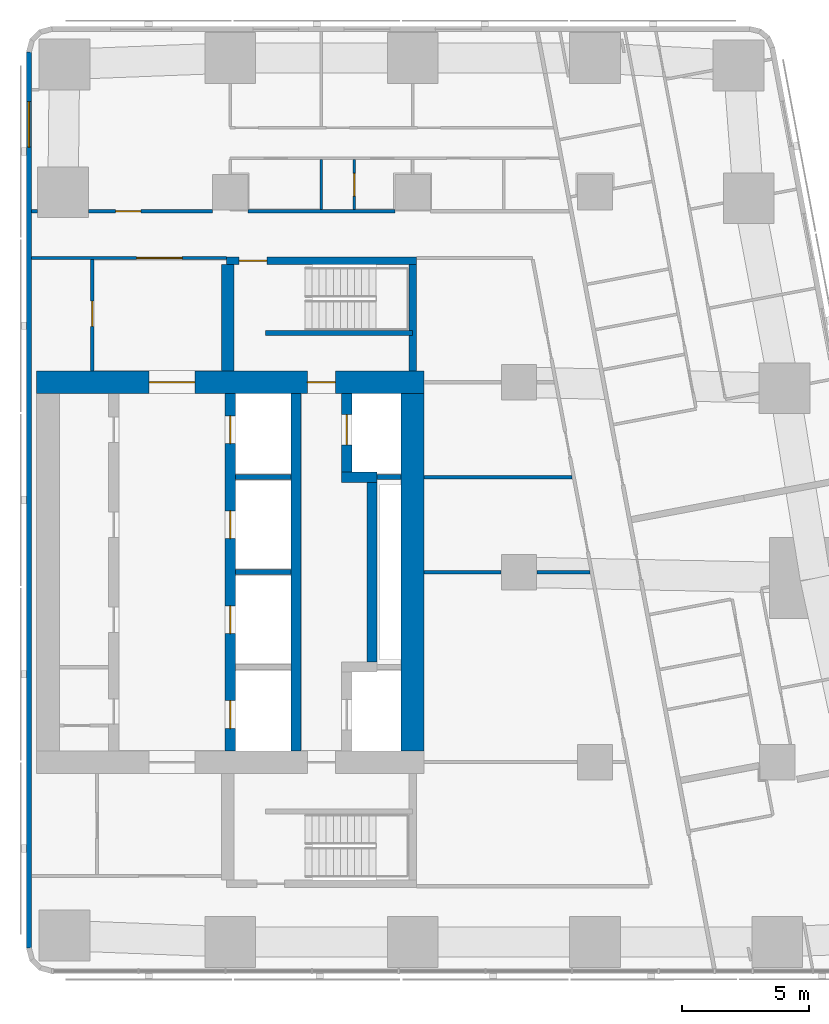
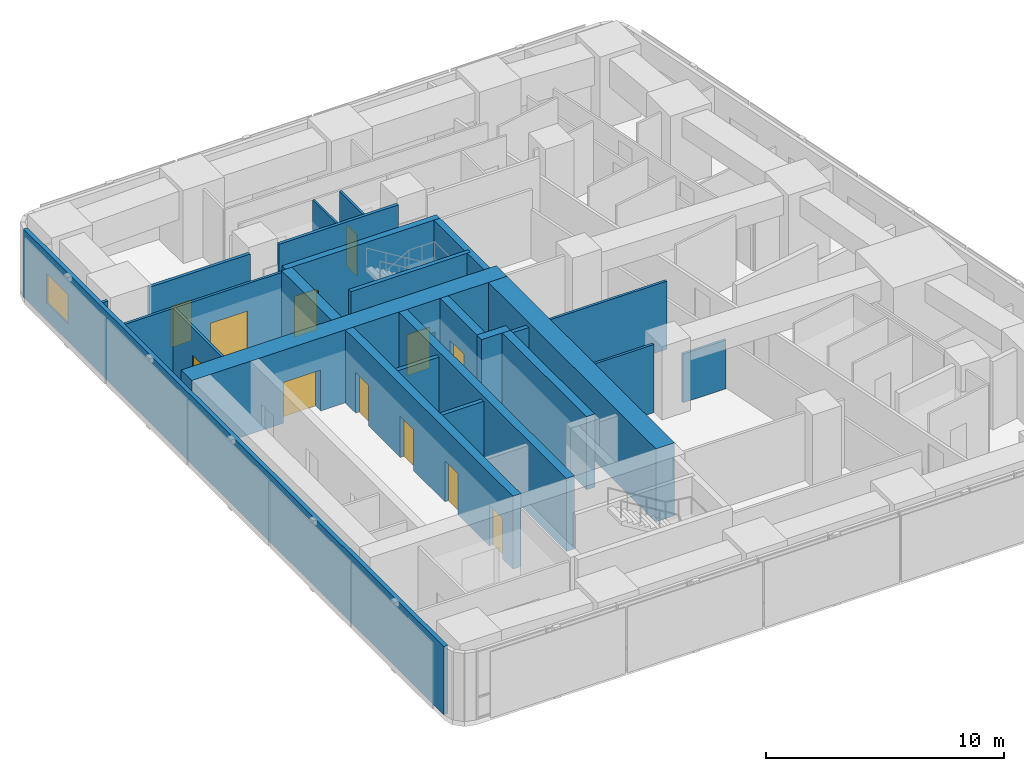
# One storey, part 6 of 11: 25 walls, 12 doors, 1 window, 13 openings.
"""IFC4 building model written with IfcOpenShell, lengths in metres."""

from ifc_helpers import new_model, si_unit, direction, frame, frame_2d, origin, place, context, subcontext, project, spatial, rectangle, extrude, material, layer, layer_set, type_object, element, fill, save


model = new_model("IFC4")

# Units and contexts
model_context = context("Model", 3, precision=1e-05, world=origin(), true_north=direction((0.0, 1.0)))
body_context = subcontext(model_context, "Body", "Model", "MODEL_VIEW")
ifc_project = project(units=[si_unit("LENGTHUNIT", "METRE"), si_unit("AREAUNIT", "SQUARE_METRE"), si_unit("VOLUMEUNIT", "CUBIC_METRE"), si_unit("PLANEANGLEUNIT", "RADIAN"), si_unit("MASSUNIT", "GRAM", prefix="KILO")], contexts=[model_context])

# Site, building, storey
site_placement = place(None, origin())
site = spatial("IfcSite", under=ifc_project, at=site_placement, CompositionType="ELEMENT")
building_placement = place(site_placement, origin())
building = spatial("IfcBuilding", under=site, at=building_placement, Name="Sheger Commons Tower", CompositionType="ELEMENT")
storey_placement = place(building_placement, frame((0.0, 0.0, 270.35009765625)))
storey = spatial("IfcBuildingStorey", under=building, at=storey_placement, Name="L69", CompositionType="ELEMENT", Elevation=270.35009765625)

# Wall, openings, doors
ifc_material_1 = material(Name="Concrete C50/60", Category="concrete")
ifc_layer_1 = layer(ifc_material_1, 0.39990234375)
ifc_layer_set_1 = layer_set([ifc_layer_1], Name="CORE INNER WALL 400")
wall_type_1 = type_object("IfcWallType", Name="CORE INNER WALL 400", PredefinedType="SHEAR", material=ifc_layer_set_1)
wall_1_placement = place(storey_placement, frame((21.60009765625, 15.449951171875, 0.0), z_axis=(0.0, 0.0, 1.0), x_axis=(0.0, 1.0, 0.0)))
wall_1 = element("IfcWall", 1, at=wall_1_placement, inside=storey, type_object=wall_type_1, Name="Core inner wall L L69", PredefinedType="SHEAR", context=body_context, shape_type="SweptSolid", body=[
    extrude(rectangle(XDim=14.10009765625, YDim=0.39990234375, at=frame_2d((7.050048828125, 0.0))), origin(), (0.0, 0.0, 1.0), 3.75),
])
opening_1_placement = place(wall_1_placement, frame((0.875, 0.0, 0.0)))
opening_1 = element("IfcOpeningElement", 2, at=opening_1_placement, cuts=wall_1, Name="Opening LD", PredefinedType="OPENING", context=body_context, shape_type="SweptSolid", body=[
    extrude(rectangle(XDim=1.10009765625, YDim=2.10009765625, at=frame_2d((0.550048828125, 1.050048828125))), frame((0.0, 0.2099609375, 0.0), z_axis=(0.0, -1.0, 0.0), x_axis=(1.0, 0.0, 0.0)), (0.0, 0.0, 1.0), 0.419921875),
])
opening_2_placement = place(wall_1_placement, frame((4.625, 0.0, 0.0)))
opening_2 = element("IfcOpeningElement", 3, at=opening_2_placement, cuts=wall_1, Name="Opening LD", PredefinedType="OPENING", context=body_context, shape_type="SweptSolid", body=[
    extrude(rectangle(XDim=1.10009765625, YDim=2.10009765625, at=frame_2d((0.550048828125, 1.050048828125))), frame((0.0, 0.2099609375, 0.0), z_axis=(0.0, -1.0, 0.0), x_axis=(1.0, 0.0, 0.0)), (0.0, 0.0, 1.0), 0.419921875),
])
opening_3_placement = place(wall_1_placement, frame((8.375, 0.0, 0.0)))
opening_3 = element("IfcOpeningElement", 4, at=opening_3_placement, cuts=wall_1, Name="Opening LD", PredefinedType="OPENING", context=body_context, shape_type="SweptSolid", body=[
    extrude(rectangle(XDim=1.10009765625, YDim=2.10009765625, at=frame_2d((0.550048828125, 1.050048828125))), frame((0.0, 0.2099609375, 0.0), z_axis=(0.0, -1.0, 0.0), x_axis=(1.0, 0.0, 0.0)), (0.0, 0.0, 1.0), 0.419921875),
])
opening_4_placement = place(wall_1_placement, frame((12.125, 0.0, 0.0)))
opening_4 = element("IfcOpeningElement", 5, at=opening_4_placement, cuts=wall_1, Name="Opening LD", PredefinedType="OPENING", context=body_context, shape_type="SweptSolid", body=[
    extrude(rectangle(XDim=1.10009765625, YDim=2.10009765625, at=frame_2d((0.550048828125, 1.050048828125))), frame((0.0, 0.2099609375, 0.0), z_axis=(0.0, -1.0, 0.0), x_axis=(1.0, 0.0, 0.0)), (0.0, 0.0, 1.0), 0.419921875),
])
ifc_material_2 = material(Name="Steel door set, fire rated", Category="steel")
door_type_1 = type_object("IfcDoorType", Name="LIFT LANDING DOOR 1100x2100", OperationType="DOUBLE_DOOR_SLIDING", PredefinedType="DOOR", material=ifc_material_2)
door_1_placement = place(opening_1_placement, origin())
door_1 = element("IfcDoor", 6, at=door_1_placement, inside=storey, type_object=door_type_1, Name="Lift LB1 landing door", OperationType="DOUBLE_DOOR_SLIDING", OverallHeight=2.10009765625, OverallWidth=1.10009765625, PredefinedType="DOOR", context=body_context, shape_type="SweptSolid", body=[
    extrude(rectangle(XDim=1.10009765625, YDim=2.10009765625, at=frame_2d((0.550048828125, 1.050048828125))), frame((0.0, 0.02490234375, 0.0), z_axis=(0.0, -1.0, 0.0), x_axis=(1.0, 0.0, 0.0)), (0.0, 0.0, 1.0), 0.050048828125),
])
fill(opening_1, door_1)
door_2_placement = place(opening_2_placement, origin())
door_2 = element("IfcDoor", 7, at=door_2_placement, inside=storey, type_object=door_type_1, Name="Lift LB2 landing door", OperationType="DOUBLE_DOOR_SLIDING", OverallHeight=2.10009765625, OverallWidth=1.10009765625, PredefinedType="DOOR", context=body_context, shape_type="SweptSolid", body=[
    extrude(rectangle(XDim=1.10009765625, YDim=2.10009765625, at=frame_2d((0.550048828125, 1.050048828125))), frame((0.0, 0.02490234375, 0.0), z_axis=(0.0, -1.0, 0.0), x_axis=(1.0, 0.0, 0.0)), (0.0, 0.0, 1.0), 0.050048828125),
])
fill(opening_2, door_2)
door_3_placement = place(opening_3_placement, origin())
door_3 = element("IfcDoor", 8, at=door_3_placement, inside=storey, type_object=door_type_1, Name="Lift LB3 landing door", OperationType="DOUBLE_DOOR_SLIDING", OverallHeight=2.10009765625, OverallWidth=1.10009765625, PredefinedType="DOOR", context=body_context, shape_type="SweptSolid", body=[
    extrude(rectangle(XDim=1.10009765625, YDim=2.10009765625, at=frame_2d((0.550048828125, 1.050048828125))), frame((0.0, 0.02490234375, 0.0), z_axis=(0.0, -1.0, 0.0), x_axis=(1.0, 0.0, 0.0)), (0.0, 0.0, 1.0), 0.050048828125),
])
fill(opening_3, door_3)
door_4_placement = place(opening_4_placement, origin())
door_4 = element("IfcDoor", 9, at=door_4_placement, inside=storey, type_object=door_type_1, Name="Lift LB4 landing door", OperationType="DOUBLE_DOOR_SLIDING", OverallHeight=2.10009765625, OverallWidth=1.10009765625, PredefinedType="DOOR", context=body_context, shape_type="SweptSolid", body=[
    extrude(rectangle(XDim=1.10009765625, YDim=2.10009765625, at=frame_2d((0.550048828125, 1.050048828125))), frame((0.0, 0.02490234375, 0.0), z_axis=(0.0, -1.0, 0.0), x_axis=(1.0, 0.0, 0.0)), (0.0, 0.0, 1.0), 0.050048828125),
])
fill(opening_4, door_4)

# Walls
wall_2_placement = place(storey_placement, frame((24.199951171875, 15.449951171875, 0.0), z_axis=(0.0, 0.0, 1.0), x_axis=(0.0, 1.0, 0.0)))
element("IfcWall", 10, at=wall_2_placement, inside=storey, type_object=wall_type_1, Name="Core inner wall B L69", PredefinedType="SHEAR", context=body_context, shape_type="SweptSolid", body=[
    extrude(rectangle(XDim=14.10009765625, YDim=0.39990234375, at=frame_2d((7.050048828125, 0.0))), origin(), (0.0, 0.0, 1.0), 3.75),
])
wall_3_placement = place(storey_placement, frame((27.199951171875, 18.949951171875, 0.0), z_axis=(0.0, 0.0, 1.0), x_axis=(0.0, 1.0, 0.0)))
element("IfcWall", 11, at=wall_3_placement, inside=storey, type_object=wall_type_1, Name="Core inner wall F middle L69", PredefinedType="SHEAR", context=body_context, shape_type="SweptSolid", body=[
    extrude(rectangle(XDim=7.10009765625, YDim=0.39990234375, at=frame_2d((3.550048828125, 0.0))), origin(), (0.0, 0.0, 1.0), 3.75),
])
wall_4_placement = place(storey_placement, frame((26.0, 26.25, 0.0), z_axis=(0.0, 0.0, 1.0), x_axis=(1.0, 0.0, 0.0)))
element("IfcWall", 12, at=wall_4_placement, inside=storey, type_object=wall_type_1, Name="Core inner wall F north return L69", PredefinedType="SHEAR", context=body_context, shape_type="SweptSolid", body=[
    extrude(rectangle(XDim=1.39990234375, YDim=0.39990234375, at=frame_2d((0.699951171875, 0.0))), origin(), (0.0, 0.0, 1.0), 3.75),
])

# Wall, opening, door
wall_5_placement = place(storey_placement, frame((26.199951171875, 26.449951171875, 0.0), z_axis=(0.0, 0.0, 1.0), x_axis=(0.0, 1.0, 0.0)))
wall_5 = element("IfcWall", 13, at=wall_5_placement, inside=storey, type_object=wall_type_1, Name="Core inner wall F north L69", PredefinedType="SHEAR", context=body_context, shape_type="SweptSolid", body=[
    extrude(rectangle(XDim=3.10009765625, YDim=0.39990234375, at=frame_2d((1.550048828125, 0.0))), origin(), (0.0, 0.0, 1.0), 3.75),
])
opening_5_placement = place(wall_5_placement, frame((1.074951171875, 0.0, 0.0)))
opening_5 = element("IfcOpeningElement", 14, at=opening_5_placement, cuts=wall_5, Name="Opening LD2", PredefinedType="OPENING", context=body_context, shape_type="SweptSolid", body=[
    extrude(rectangle(XDim=1.199951171875, YDim=2.10009765625, at=frame_2d((0.60009765625, 1.050048828125))), frame((0.0, 0.2099609375, 0.0), z_axis=(0.0, -1.0, 0.0), x_axis=(1.0, 0.0, 0.0)), (0.0, 0.0, 1.0), 0.419921875),
])
ifc_material_3 = material(Name="Steel door set, fire rated", Category="steel")
door_type_2 = type_object("IfcDoorType", Name="FIREFIGHTING LIFT LANDING DOOR 1200x2100", OperationType="DOUBLE_DOOR_SLIDING", PredefinedType="DOOR", material=ifc_material_3)
door_5_placement = place(opening_5_placement, origin())
door_5 = element("IfcDoor", 15, at=door_5_placement, inside=storey, type_object=door_type_2, Name="Lift FL2 landing door", OperationType="DOUBLE_DOOR_SLIDING", OverallHeight=2.10009765625, OverallWidth=1.199951171875, PredefinedType="DOOR", context=body_context, shape_type="SweptSolid", body=[
    extrude(rectangle(XDim=1.199951171875, YDim=2.10009765625, at=frame_2d((0.60009765625, 1.050048828125))), frame((0.0, 0.02490234375, 0.0), z_axis=(0.0, -1.0, 0.0), x_axis=(1.0, 0.0, 0.0)), (0.0, 0.0, 1.0), 0.050048828125),
])
fill(opening_5, door_5)

# Wall, openings, doors
ifc_material_4 = material(Name="Concrete C50/60", Category="concrete")
ifc_layer_2 = layer(ifc_material_4, 0.89990234375)
ifc_layer_set_2 = layer_set([ifc_layer_2], Name="CORE WALL 900")
wall_type_2 = type_object("IfcWallType", Name="CORE WALL 900", PredefinedType="SHEAR", material=ifc_layer_set_2)
wall_6_placement = place(storey_placement, frame((13.949951171875, 30.0, 0.0), z_axis=(0.0, 0.0, 1.0), x_axis=(1.0, 0.0, 0.0)))
wall_6 = element("IfcWall", 16, at=wall_6_placement, inside=storey, type_object=wall_type_2, Name="Core wall north L69", PredefinedType="SHEAR", context=body_context, shape_type="SweptSolid", body=[
    extrude(rectangle(XDim=15.300048828125, YDim=0.89990234375, at=frame_2d((7.64990234375, 0.0))), origin(), (0.0, 0.0, 1.0), 3.75),
])
opening_6_placement = place(wall_6_placement, frame((4.449951171875, 0.0, 0.0)))
opening_6 = element("IfcOpeningElement", 17, at=opening_6_placement, cuts=wall_6, Name="Opening D6", PredefinedType="OPENING", context=body_context, shape_type="SweptSolid", body=[
    extrude(rectangle(XDim=1.800048828125, YDim=2.10009765625, at=frame_2d((0.89990234375, 1.050048828125))), frame((0.0, 0.4599609375, 0.0), z_axis=(0.0, -1.0, 0.0), x_axis=(1.0, 0.0, 0.0)), (0.0, 0.0, 1.0), 0.919921875),
])
opening_7_placement = place(wall_6_placement, frame((10.699951171875, 0.0, 0.0)))
opening_7 = element("IfcOpeningElement", 18, at=opening_7_placement, cuts=wall_6, Name="Opening D5", PredefinedType="OPENING", context=body_context, shape_type="SweptSolid", body=[
    extrude(rectangle(XDim=1.10009765625, YDim=2.10009765625, at=frame_2d((0.550048828125, 1.050048828125))), frame((0.0, 0.4599609375, 0.0), z_axis=(0.0, -1.0, 0.0), x_axis=(1.0, 0.0, 0.0)), (0.0, 0.0, 1.0), 0.919921875),
])
ifc_material_5 = material(Name="Steel door set, fire rated", Category="steel")
door_type_3 = type_object("IfcDoorType", Name="LOBBY DOUBLE DOOR 1800x2100", OperationType="DOUBLE_DOOR_SINGLE_SWING", PredefinedType="DOOR", material=ifc_material_5)
door_6_placement = place(opening_6_placement, origin())
door_6 = element("IfcDoor", 19, at=door_6_placement, inside=storey, type_object=door_type_3, Name="Lift lobby door", OperationType="DOUBLE_DOOR_SINGLE_SWING", OverallHeight=2.10009765625, OverallWidth=1.800048828125, PredefinedType="DOOR", context=body_context, shape_type="SweptSolid", body=[
    extrude(rectangle(XDim=1.800048828125, YDim=2.10009765625, at=frame_2d((0.89990234375, 1.050048828125))), frame((0.0, 0.02490234375, 0.0), z_axis=(0.0, -1.0, 0.0), x_axis=(1.0, 0.0, 0.0)), (0.0, 0.0, 1.0), 0.050048828125),
])
fill(opening_6, door_6)
ifc_material_6 = material(Name="Steel door set, fire rated", Category="steel")
door_type_4 = type_object("IfcDoorType", Name="STAIR DOOR 1100x2100", OperationType="NOTDEFINED", PredefinedType="DOOR", material=ifc_material_6)
door_7_placement = place(opening_7_placement, origin())
door_7 = element("IfcDoor", 20, at=door_7_placement, inside=storey, type_object=door_type_4, Name="Fire-fighting lobby door", OperationType="SINGLE_SWING_RIGHT", OverallHeight=2.10009765625, OverallWidth=1.10009765625, PredefinedType="DOOR", context=body_context, shape_type="SweptSolid", body=[
    extrude(rectangle(XDim=1.10009765625, YDim=2.10009765625, at=frame_2d((0.550048828125, 1.050048828125))), frame((0.0, 0.02490234375, 0.0), z_axis=(0.0, -1.0, 0.0), x_axis=(1.0, 0.0, 0.0)), (0.0, 0.0, 1.0), 0.050048828125),
])
fill(opening_7, door_7)

# Walls
wall_7_placement = place(storey_placement, frame((28.800048828125, 15.449951171875, 0.0), z_axis=(0.0, 0.0, 1.0), x_axis=(0.0, 1.0, 0.0)))
element("IfcWall", 21, at=wall_7_placement, inside=storey, type_object=wall_type_2, Name="Core wall east L69", PredefinedType="SHEAR", context=body_context, shape_type="SweptSolid", body=[
    extrude(rectangle(XDim=14.10009765625, YDim=0.89990234375, at=frame_2d((7.050048828125, 0.0))), origin(), (0.0, 0.0, 1.0), 3.75),
])
ifc_material_7 = material(Name="Hollow concrete block masonry, skimmed both sides", Category="masonry")
ifc_layer_3 = layer(ifc_material_7, 0.14990234375)
ifc_layer_set_3 = layer_set([ifc_layer_3], Name="CORRIDOR WALL 150")
wall_type_3 = type_object("IfcWallType", Name="CORRIDOR WALL 150", PredefinedType="SOLIDWALL", material=ifc_layer_set_3)
wall_8_placement = place(storey_placement, frame((13.75, 36.75, 0.0), z_axis=(0.0, 0.0, 1.0), x_axis=(1.0, 0.0, 0.0)))
element("IfcWall", 22, at=wall_8_placement, inside=storey, type_object=wall_type_3, Name="Corridor wall L69", PredefinedType="SOLIDWALL", context=body_context, shape_type="SweptSolid", body=[
    extrude(rectangle(XDim=0.2490234375, YDim=0.14990234375, at=frame_2d((0.12451171875, 0.0))), origin(), (0.0, 0.0, 1.0), 3.5),
])

# Wall, opening, door
wall_9_placement = place(storey_placement, frame((16.0009765625, 36.75, 0.0), z_axis=(0.0, 0.0, 1.0), x_axis=(1.0, 0.0, 0.0)))
wall_9 = element("IfcWall", 23, at=wall_9_placement, inside=storey, type_object=wall_type_3, Name="Corridor wall L69", PredefinedType="SOLIDWALL", context=body_context, shape_type="SweptSolid", body=[
    extrude(rectangle(XDim=4.89794921875, YDim=0.14990234375, at=frame_2d((2.448974609375, 0.0))), origin(), (0.0, 0.0, 1.0), 3.5),
])
opening_8_placement = place(wall_9_placement, frame((1.073974609375, 0.0, 0.0)))
opening_8 = element("IfcOpeningElement", 24, at=opening_8_placement, cuts=wall_9, Name="Opening D1", PredefinedType="OPENING", context=body_context, shape_type="SweptSolid", body=[
    extrude(rectangle(XDim=1.0, YDim=2.10009765625, at=frame_2d((0.5, 1.050048828125))), frame((0.0, 0.0849609375, 0.0), z_axis=(0.0, -1.0, 0.0), x_axis=(1.0, 0.0, 0.0)), (0.0, 0.0, 1.0), 0.169921875),
])
ifc_material_8 = material(Name="Steel door set, fire rated", Category="steel")
door_type_5 = type_object("IfcDoorType", Name="FLAT ENTRANCE DOOR 1000x2100", OperationType="NOTDEFINED", PredefinedType="DOOR", material=ifc_material_8)
door_8_placement = place(opening_8_placement, origin())
door_8 = element("IfcDoor", 25, at=door_8_placement, inside=storey, type_object=door_type_5, Name="Flat entrance door", OperationType="SINGLE_SWING_LEFT", OverallHeight=2.10009765625, OverallWidth=1.0, PredefinedType="DOOR", context=body_context, shape_type="SweptSolid", body=[
    extrude(rectangle(XDim=1.0, YDim=2.10009765625, at=frame_2d((0.5, 1.050048828125))), frame((0.0, 0.02490234375, 0.0), z_axis=(0.0, -1.0, 0.0), x_axis=(1.0, 0.0, 0.0)), (0.0, 0.0, 1.0), 0.050048828125),
])
fill(opening_8, door_8)

# Wall
wall_10_placement = place(storey_placement, frame((22.301025390625, 36.75, 0.0), z_axis=(0.0, 0.0, 1.0), x_axis=(1.0, 0.0, 0.0)))
element("IfcWall", 26, at=wall_10_placement, inside=storey, type_object=wall_type_3, Name="Corridor wall L69", PredefinedType="SOLIDWALL", context=body_context, shape_type="SweptSolid", body=[
    extrude(rectangle(XDim=5.798095703125, YDim=0.14990234375, at=frame_2d((2.89892578125, 0.0))), origin(), (0.0, 0.0, 1.0), 3.5),
])

# Wall, opening, window
ifc_material_9 = material(Name="Rendered concrete block masonry, dark grey", Category="masonry")
ifc_layer_4 = layer(ifc_material_9, 0.199951171875)
ifc_layer_set_4 = layer_set([ifc_layer_4], Name="FACADE WALL 200")
wall_type_4 = type_object("IfcWallType", Name="FACADE WALL 200", PredefinedType="SOLIDWALL", material=ifc_layer_set_4)
wall_11_placement = place(storey_placement, frame((13.64990234375, 43.037109375, 0.0), z_axis=(0.0, 0.0, 1.0), x_axis=(0.0, -1.0, 0.0)))
wall_11 = element("IfcWall", 27, at=wall_11_placement, inside=storey, type_object=wall_type_4, Name="Facade wall L69", PredefinedType="SOLIDWALL", context=body_context, shape_type="SweptSolid", body=[
    extrude(rectangle(XDim=35.3740234375, YDim=0.199951171875, at=frame_2d((17.68701171875, 0.0))), origin(), (0.0, 0.0, 1.0), 3.5),
])
opening_9_placement = place(wall_11_placement, frame((1.958984375, 0.0, 0.89990234375)))
opening_9 = element("IfcOpeningElement", 28, at=opening_9_placement, cuts=wall_11, Name="Opening W2", PredefinedType="OPENING", context=body_context, shape_type="SweptSolid", body=[
    extrude(rectangle(XDim=1.800048828125, YDim=1.5, at=frame_2d((0.89990234375, 0.75))), frame((0.0, 0.10986328125, 0.0), z_axis=(0.0, -1.0, 0.0), x_axis=(1.0, 0.0, 0.0)), (0.0, 0.0, 1.0), 0.219970703125),
])
ifc_material_10 = material(Name="Black aluminium frame, dark tinted double glazing", Category="aluminium")
window_type = type_object("IfcWindowType", Name="WINDOW W2 1800x1500", PartitioningType="SINGLE_PANEL", PredefinedType="WINDOW", material=ifc_material_10)
window_placement = place(opening_9_placement, origin())
window = element("IfcWindow", 29, at=window_placement, inside=storey, type_object=window_type, Name="Window W2 1800X1500", OverallHeight=1.5, OverallWidth=1.800048828125, PartitioningType="SINGLE_PANEL", PredefinedType="WINDOW", context=body_context, shape_type="SweptSolid", body=[
    extrude(rectangle(XDim=1.800048828125, YDim=1.5, at=frame_2d((0.89990234375, 0.75))), frame((0.0, 0.030029296875, 0.0), z_axis=(0.0, -1.0, 0.0), x_axis=(1.0, 0.0, 0.0)), (0.0, 0.0, 1.0), 0.06005859375),
])
fill(opening_9, window)

# Wall
ifc_material_11 = material(Name="Gypsum board on steel studs", Category="steel")
ifc_layer_5 = layer(ifc_material_11, 0.10009765625)
ifc_layer_set_5 = layer_set([ifc_layer_5], Name="PARTITION 100")
wall_type_5 = type_object("IfcWallType", Name="PARTITION 100", PredefinedType="PARTITIONING", material=ifc_layer_set_5)
wall_12_placement = place(storey_placement, frame((25.199951171875, 36.824951171875, 0.0), z_axis=(0.0, 0.0, 1.0), x_axis=(0.0, 1.0, 0.0)))
element("IfcWall", 30, at=wall_12_placement, inside=storey, type_object=wall_type_5, Name="Partition L69", PredefinedType="PARTITIONING", context=body_context, shape_type="SweptSolid", body=[
    extrude(rectangle(XDim=1.97509765625, YDim=0.10009765625, at=frame_2d((0.987548828125, 0.0))), origin(), (0.0, 0.0, 1.0), 3.5),
])

# Wall, opening, door
wall_13_placement = place(storey_placement, frame((26.5, 36.824951171875, 0.0), z_axis=(0.0, 0.0, 1.0), x_axis=(0.0, 1.0, 0.0)))
wall_13 = element("IfcWall", 31, at=wall_13_placement, inside=storey, type_object=wall_type_5, Name="Partition L69", PredefinedType="PARTITIONING", context=body_context, shape_type="SweptSolid", body=[
    extrude(rectangle(XDim=1.97509765625, YDim=0.10009765625, at=frame_2d((0.987548828125, 0.0))), origin(), (0.0, 0.0, 1.0), 3.5),
])
opening_10_placement = place(wall_13_placement, frame((0.52490234375, 0.0, 0.0)))
opening_10 = element("IfcOpeningElement", 32, at=opening_10_placement, cuts=wall_13, Name="Opening D2", PredefinedType="OPENING", context=body_context, shape_type="SweptSolid", body=[
    extrude(rectangle(XDim=0.89990234375, YDim=2.10009765625, at=frame_2d((0.449951171875, 1.050048828125))), frame((0.0, 0.06005859375, 0.0), z_axis=(0.0, -1.0, 0.0), x_axis=(1.0, 0.0, 0.0)), (0.0, 0.0, 1.0), 0.1201171875),
])
ifc_material_12 = material(Name="Timber door set", Category="wood")
door_type_6 = type_object("IfcDoorType", Name="INTERNAL DOOR 900x2100", OperationType="NOTDEFINED", PredefinedType="DOOR", material=ifc_material_12)
door_9_placement = place(opening_10_placement, origin())
door_9 = element("IfcDoor", 33, at=door_9_placement, inside=storey, type_object=door_type_6, Name="Linen store door", OperationType="SINGLE_SWING_LEFT", OverallHeight=2.10009765625, OverallWidth=0.89990234375, PredefinedType="DOOR", context=body_context, shape_type="SweptSolid", body=[
    extrude(rectangle(XDim=0.89990234375, YDim=2.10009765625, at=frame_2d((0.449951171875, 1.050048828125))), frame((0.0, 0.02490234375, 0.0), z_axis=(0.0, -1.0, 0.0), x_axis=(1.0, 0.0, 0.0)), (0.0, 0.0, 1.0), 0.050048828125),
])
fill(opening_10, door_9)

ifc_material_13 = material(Name="Gypsum board on steel studs, two layers each side, fire rated", Category="steel")
ifc_layer_6 = layer(ifc_material_13, 0.125)
ifc_layer_set_6 = layer_set([ifc_layer_6], Name="SERVICE WALL 125")
wall_type_6 = type_object("IfcWallType", Name="SERVICE WALL 125", PredefinedType="PARTITIONING", material=ifc_layer_set_6)
wall_14_placement = place(storey_placement, frame((13.75, 34.89990234375, 0.0), z_axis=(0.0, 0.0, 1.0), x_axis=(1.0, 0.0, 0.0)))
wall_14 = element("IfcWall", 34, at=wall_14_placement, inside=storey, type_object=wall_type_6, Name="Service room wall L69", PredefinedType="PARTITIONING", context=body_context, shape_type="SweptSolid", body=[
    extrude(rectangle(XDim=7.699951171875, YDim=0.125, at=frame_2d((3.85009765625, 0.0))), origin(), (0.0, 0.0, 1.0), 3.5),
])
opening_11_placement = place(wall_14_placement, frame((4.14990234375, 0.0, 0.0)))
opening_11 = element("IfcOpeningElement", 35, at=opening_11_placement, cuts=wall_14, Name="Opening D6", PredefinedType="OPENING", context=body_context, shape_type="SweptSolid", body=[
    extrude(rectangle(XDim=1.800048828125, YDim=2.10009765625, at=frame_2d((0.89990234375, 1.050048828125))), frame((0.0, 0.072509765625, 0.0), z_axis=(0.0, -1.0, 0.0), x_axis=(1.0, 0.0, 0.0)), (0.0, 0.0, 1.0), 0.14501953125),
])
door_10_placement = place(opening_11_placement, origin())
door_10 = element("IfcDoor", 36, at=door_10_placement, inside=storey, type_object=door_type_3, Name="Lift lobby north door", OperationType="DOUBLE_DOOR_SINGLE_SWING", OverallHeight=2.10009765625, OverallWidth=1.800048828125, PredefinedType="DOOR", context=body_context, shape_type="SweptSolid", body=[
    extrude(rectangle(XDim=1.800048828125, YDim=2.10009765625, at=frame_2d((0.89990234375, 1.050048828125))), frame((0.0, 0.02490234375, 0.0), z_axis=(0.0, -1.0, 0.0), x_axis=(1.0, 0.0, 0.0)), (0.0, 0.0, 1.0), 0.050048828125),
])
fill(opening_11, door_10)

wall_15_placement = place(storey_placement, frame((16.14990234375, 30.449951171875, 0.0), z_axis=(0.0, 0.0, 1.0), x_axis=(0.0, 1.0, 0.0)))
wall_15 = element("IfcWall", 37, at=wall_15_placement, inside=storey, type_object=wall_type_6, Name="Service room wall L69", PredefinedType="PARTITIONING", context=body_context, shape_type="SweptSolid", body=[
    extrude(rectangle(XDim=4.386962890625, YDim=0.125, at=frame_2d((2.193359375, 0.0))), origin(), (0.0, 0.0, 1.0), 3.5),
])
opening_12_placement = place(wall_15_placement, frame((1.75, 0.0, 0.0)))
opening_12 = element("IfcOpeningElement", 38, at=opening_12_placement, cuts=wall_15, Name="Opening D4", PredefinedType="OPENING", context=body_context, shape_type="SweptSolid", body=[
    extrude(rectangle(XDim=1.0, YDim=2.10009765625, at=frame_2d((0.5, 1.050048828125))), frame((0.0, 0.072509765625, 0.0), z_axis=(0.0, -1.0, 0.0), x_axis=(1.0, 0.0, 0.0)), (0.0, 0.0, 1.0), 0.14501953125),
])
ifc_material_14 = material(Name="Steel door set, fire rated", Category="steel")
door_type_7 = type_object("IfcDoorType", Name="SERVICE DOOR 1000x2100", OperationType="NOTDEFINED", PredefinedType="DOOR", material=ifc_material_14)
door_11_placement = place(opening_12_placement, origin())
door_11 = element("IfcDoor", 39, at=door_11_placement, inside=storey, type_object=door_type_7, Name="Telecom room door", OperationType="SINGLE_SWING_RIGHT", OverallHeight=2.10009765625, OverallWidth=1.0, PredefinedType="DOOR", context=body_context, shape_type="SweptSolid", body=[
    extrude(rectangle(XDim=1.0, YDim=2.10009765625, at=frame_2d((0.5, 1.050048828125))), frame((0.0, 0.02490234375, 0.0), z_axis=(0.0, -1.0, 0.0), x_axis=(1.0, 0.0, 0.0)), (0.0, 0.0, 1.0), 0.050048828125),
])
fill(opening_12, door_11)

# Walls
wall_16_placement = place(storey_placement, frame((29.25, 22.5, 0.0), z_axis=(0.0, 0.0, 1.0), x_axis=(1.0, 0.0, 0.0)))
element("IfcWall", 40, at=wall_16_placement, inside=storey, type_object=wall_type_6, Name="Service room wall L69", PredefinedType="PARTITIONING", context=body_context, shape_type="SweptSolid", body=[
    extrude(rectangle(XDim=3.049072265625, YDim=0.125, at=frame_2d((1.5244140625, 0.0))), origin(), (0.0, 0.0, 1.0), 3.5),
])
wall_17_placement = place(storey_placement, frame((33.700927734375, 22.5, 0.0), z_axis=(0.0, 0.0, 1.0), x_axis=(1.0, 0.0, 0.0)))
element("IfcWall", 41, at=wall_17_placement, inside=storey, type_object=wall_type_6, Name="Service room wall L69", PredefinedType="PARTITIONING", context=body_context, shape_type="SweptSolid", body=[
    extrude(rectangle(XDim=2.094970703125, YDim=0.125, at=frame_2d((1.04736328125, 0.0))), origin(), (0.0, 0.0, 1.0), 2.5),
])
wall_18_placement = place(storey_placement, frame((29.25, 26.25, 0.0), z_axis=(0.0, 0.0, 1.0), x_axis=(1.0, 0.0, 0.0)))
element("IfcWall", 42, at=wall_18_placement, inside=storey, type_object=wall_type_6, Name="Service room wall L69", PredefinedType="PARTITIONING", context=body_context, shape_type="SweptSolid", body=[
    extrude(rectangle(XDim=5.837890625, YDim=0.125, at=frame_2d((2.9189453125, 0.0))), origin(), (0.0, 0.0, 1.0), 3.5),
])
ifc_material_15 = material(Name="Hollow concrete block masonry", Category="masonry")
ifc_layer_7 = layer(ifc_material_15, 0.199951171875)
ifc_layer_set_7 = layer_set([ifc_layer_7], Name="SHAFT WALL 200")
wall_type_7 = type_object("IfcWallType", Name="SHAFT WALL 200", PredefinedType="SOLIDWALL", material=ifc_layer_set_7)
for number, where, z_axis, x_axis, name in (
    (43, (21.800048828125, 22.5, 0.0), (0.0, 0.0, 1.0), (1.0, 0.0, 0.0), "Lift shaft wall L69"),
    (44, (21.800048828125, 26.25, 0.0), (0.0, 0.0, 1.0), (1.0, 0.0, 0.0), "Lift shaft wall L69"),
):
    element("IfcWall", number, at=place(storey_placement, frame(where, z_axis=z_axis, x_axis=x_axis)), inside=storey, type_object=wall_type_7, Name=name, PredefinedType="SOLIDWALL", context=body_context, shape_type="SweptSolid", body=[
        extrude(rectangle(XDim=2.199951171875, YDim=0.199951171875, at=frame_2d((1.10009765625, 0.0))), origin(), (0.0, 0.0, 1.0), 3.5),
    ])
wall_19_placement = place(storey_placement, frame((27.39990234375, 26.25, 0.0), z_axis=(0.0, 0.0, 1.0), x_axis=(1.0, 0.0, 0.0)))
element("IfcWall", 45, at=wall_19_placement, inside=storey, type_object=wall_type_7, Name="Lift shaft wall L69", PredefinedType="SOLIDWALL", context=body_context, shape_type="SweptSolid", body=[
    extrude(rectangle(XDim=0.9501953125, YDim=0.199951171875, at=frame_2d((0.47509765625, 0.0))), origin(), (0.0, 0.0, 1.0), 3.5),
])

# Wall, opening, door
ifc_material_16 = material(Name="Concrete C50/60", Category="concrete")
ifc_layer_8 = layer(ifc_material_16, 0.300048828125)
ifc_layer_set_8 = layer_set([ifc_layer_8], Name="STAIR CORE WALL 300")
wall_type_8 = type_object("IfcWallType", Name="STAIR CORE WALL 300", PredefinedType="SHEAR", material=ifc_layer_set_8)
wall_20_placement = place(storey_placement, frame((21.449951171875, 34.800048828125, 0.0), z_axis=(0.0, 0.0, 1.0), x_axis=(1.0, 0.0, 0.0)))
wall_20 = element("IfcWall", 46, at=wall_20_placement, inside=storey, type_object=wall_type_8, Name="STW-L69-S2N", PredefinedType="SHEAR", context=body_context, shape_type="SweptSolid", body=[
    extrude(rectangle(XDim=7.5, YDim=0.300048828125, at=frame_2d((3.75, 0.0))), origin(), (0.0, 0.0, 1.0), 3.75),
])
opening_13_placement = place(wall_20_placement, frame((0.5, 0.0, 0.0)))
opening_13 = element("IfcOpeningElement", 47, at=opening_13_placement, cuts=wall_20, Name="Opening D5", PredefinedType="OPENING", context=body_context, shape_type="SweptSolid", body=[
    extrude(rectangle(XDim=1.10009765625, YDim=2.10009765625, at=frame_2d((0.550048828125, 1.050048828125))), frame((0.0, 0.159912109375, 0.0), z_axis=(0.0, -1.0, 0.0), x_axis=(1.0, 0.0, 0.0)), (0.0, 0.0, 1.0), 0.320068359375),
])
door_12_placement = place(opening_13_placement, origin())
door_12 = element("IfcDoor", 48, at=door_12_placement, inside=storey, type_object=door_type_4, Name="Stair S2 door", OperationType="SINGLE_SWING_RIGHT", OverallHeight=2.10009765625, OverallWidth=1.10009765625, PredefinedType="DOOR", context=body_context, shape_type="SweptSolid", body=[
    extrude(rectangle(XDim=1.10009765625, YDim=2.10009765625, at=frame_2d((0.550048828125, 1.050048828125))), frame((0.0, 0.02490234375, 0.0), z_axis=(0.0, -1.0, 0.0), x_axis=(1.0, 0.0, 0.0)), (0.0, 0.0, 1.0), 0.050048828125),
])
fill(opening_13, door_12)

# Walls
wall_21_placement = place(storey_placement, frame((28.800048828125, 30.449951171875, 0.0), z_axis=(0.0, 0.0, 1.0), x_axis=(0.0, 1.0, 0.0)))
element("IfcWall", 49, at=wall_21_placement, inside=storey, type_object=wall_type_8, Name="STW-L69-S2E", PredefinedType="SHEAR", context=body_context, shape_type="SweptSolid", body=[
    extrude(rectangle(XDim=4.199951171875, YDim=0.300048828125, at=frame_2d((2.10009765625, 0.0))), origin(), (0.0, 0.0, 1.0), 3.75),
])
ifc_material_17 = material(Name="Concrete C50/60", Category="concrete")
ifc_layer_9 = layer(ifc_material_17, 0.5)
ifc_layer_set_9 = layer_set([ifc_layer_9], Name="STAIR CORE WALL 500")
wall_type_9 = type_object("IfcWallType", Name="STAIR CORE WALL 500", PredefinedType="SHEAR", material=ifc_layer_set_9)
wall_22_placement = place(storey_placement, frame((21.5, 30.449951171875, 0.0), z_axis=(0.0, 0.0, 1.0), x_axis=(0.0, 1.0, 0.0)))
element("IfcWall", 50, at=wall_22_placement, inside=storey, type_object=wall_type_9, Name="STW-L69-S2W", PredefinedType="SHEAR", context=body_context, shape_type="SweptSolid", body=[
    extrude(rectangle(XDim=4.199951171875, YDim=0.5, at=frame_2d((2.10009765625, 0.0))), origin(), (0.0, 0.0, 1.0), 3.75),
])
ifc_material_18 = material(Name="Concrete C50/60", Category="concrete")
ifc_layer_10 = layer(ifc_material_18, 0.199951171875)
ifc_layer_set_10 = layer_set([ifc_layer_10], Name="STAIR SPINE WALL 200")
wall_type_10 = type_object("IfcWallType", Name="STAIR SPINE WALL 200", PredefinedType="SHEAR", material=ifc_layer_set_10)
wall_23_placement = place(storey_placement, frame((23.0, 31.949951171875, 0.0), z_axis=(0.0, 0.0, 1.0), x_axis=(1.0, 0.0, 0.0)))
element("IfcWall", 51, at=wall_23_placement, inside=storey, type_object=wall_type_10, Name="Stair spine wall L69", PredefinedType="SHEAR", context=body_context, shape_type="SweptSolid", body=[
    extrude(rectangle(XDim=5.800048828125, YDim=0.199951171875, at=frame_2d((2.89990234375, 0.0))), origin(), (0.0, 0.0, 1.0), 3.75),
])

save(model, "model.ifc")
